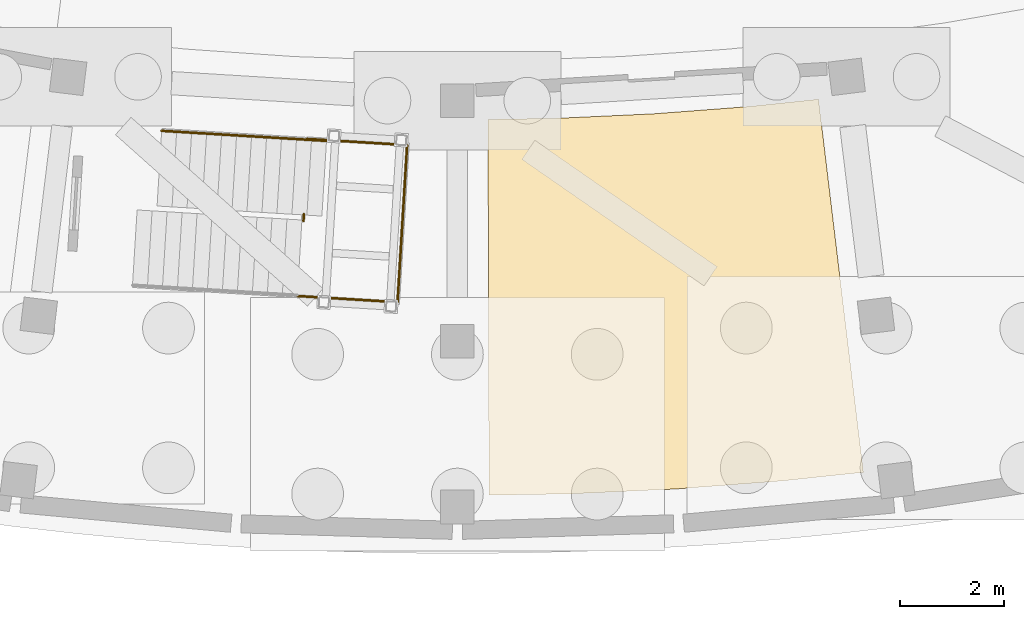
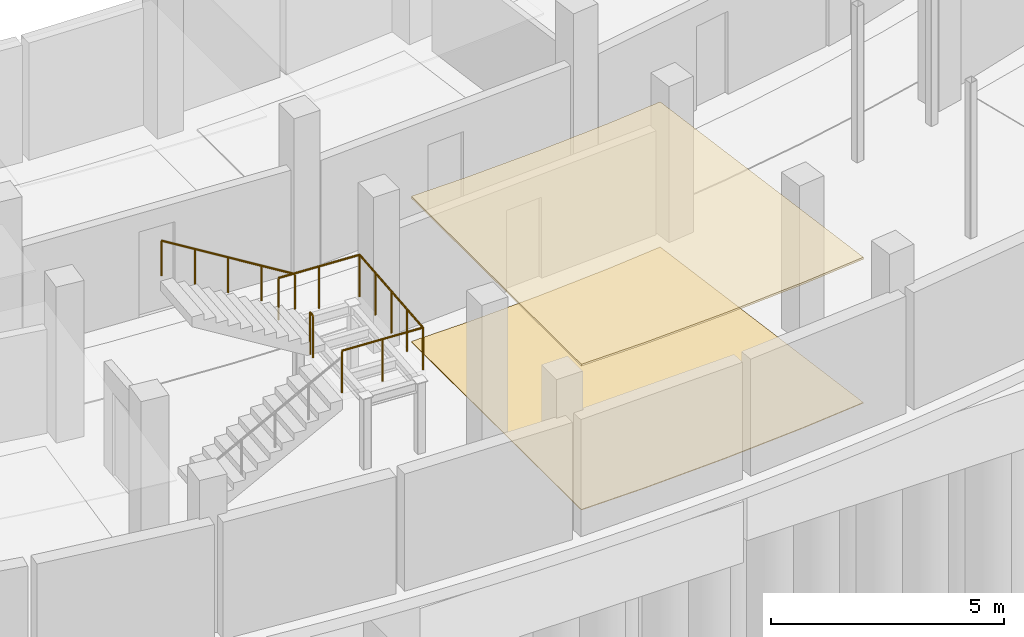
# One storey, part 50 of 58: 3 railings, 2 coverings.
"""IFC4 building model written with IfcOpenShell, lengths in metres."""

import ifcopenshell
import ifcopenshell.guid

model = None  # the IFC model being written
_history = None  # IfcOwnerHistory: only IFC2X3 demands one
_inside = {}  # id of a spatial element -> (the spatial element, [elements in it])
_under = {}  # id of a project, library or spatial element -> (it, [spatial elements below it])
_declared = {}  # id of a project -> (the project, [libraries it declares])
_typed = {}  # id of a type object -> (the type object, [elements of that type])
_made_of = {}  # id of a material, layer set ... -> (it, [elements and type objects made of it])


def new_model(schema):
    """Start an empty IFC model of exactly this schema.

    Asked for "IFC4X3", IfcOpenShell would pick the latest addendum, in which some entities
    have other attributes; the version numbers below select the first issue.
    IFC2X3 requires an IfcOwnerHistory on every rooted entity: one is made here for all.
    """
    global model, _history
    if schema == "IFC4X3":
        model = ifcopenshell.file(schema_version=(4, 3, 0, 0))
    else:
        model = ifcopenshell.file(schema=schema)
    _inside.clear()
    _under.clear()
    _declared.clear()
    _typed.clear()
    _made_of.clear()
    _history = None
    if model.schema == "IFC2X3":
        org = make("IfcOrganization", Name="unknown")
        user = make(
            "IfcPersonAndOrganization",
            ThePerson=make("IfcPerson", FamilyName="unknown"),
            TheOrganization=org,
        )
        app = make(
            "IfcApplication",
            ApplicationDeveloper=org,
            Version="unknown",
            ApplicationFullName="unknown",
            ApplicationIdentifier="unknown",
        )
        _history = make(
            "IfcOwnerHistory",
            OwningUser=user,
            OwningApplication=app,
            ChangeAction="ADDED",
            CreationDate=0,
        )
    return model


def make(cls, **values):
    """One entity of the class cls with the attributes given. An attribute that is None is left unset."""
    return model.create_entity(
        cls, **{name: value for name, value in values.items() if value is not None}
    )


def rooted(cls, **values):
    """An entity with a GlobalId (a new one), such as an element, a storey or a relation."""
    return make(cls, GlobalId=ifcopenshell.guid.new(), OwnerHistory=_history, **values)


def si_unit(unit_type, name, prefix=None):
    """IfcSIUnit, for example si_unit("LENGTHUNIT", "METRE", prefix="MILLI")."""
    return make("IfcSIUnit", UnitType=unit_type, Prefix=prefix, Name=name)


def assignment(units):
    """IfcUnitAssignment: the units of a project."""
    return None if units is None else make("IfcUnitAssignment", Units=units)


def point(xyz):
    """IfcCartesianPoint."""
    return None if xyz is None else make("IfcCartesianPoint", Coordinates=xyz)


def direction(xyz):
    """IfcDirection."""
    return None if xyz is None else make("IfcDirection", DirectionRatios=xyz)


def frame(location, z_axis=None, x_axis=None):
    """IfcAxis2Placement3D, a coordinate frame: its origin and axes. An axis left out is left unset."""
    return make(
        "IfcAxis2Placement3D",
        Location=point(location),
        Axis=direction(z_axis),
        RefDirection=direction(x_axis),
    )


def frame_2d(location, x_axis=None):
    """IfcAxis2Placement2D, a coordinate frame in the plane: its origin and x axis."""
    return make(
        "IfcAxis2Placement2D", Location=point(location), RefDirection=direction(x_axis)
    )


def origin():
    """The frame at (0, 0, 0) with its axes left unset."""
    return frame((0.0, 0.0, 0.0))


def origin_2d():
    """The frame at (0, 0) in the plane with its x axis left unset."""
    return frame_2d((0.0, 0.0))


def place(relative_to, where):
    """IfcLocalPlacement: puts the frame where relative to a parent placement (None: the world)."""
    return make(
        "IfcLocalPlacement", PlacementRelTo=relative_to, RelativePlacement=where
    )


def context(
    kind, dimensions, precision=None, world=None, true_north=None, identifier=None
):
    """IfcGeometricRepresentationContext, for example the 3D "Model" context."""
    return make(
        "IfcGeometricRepresentationContext",
        ContextIdentifier=identifier,
        ContextType=kind,
        CoordinateSpaceDimension=dimensions,
        Precision=precision,
        WorldCoordinateSystem=world,
        TrueNorth=true_north,
    )


def subcontext(parent, identifier, kind, view, scale=None):
    """IfcGeometricRepresentationSubContext, for example "Body" below "Model"."""
    return make(
        "IfcGeometricRepresentationSubContext",
        ContextIdentifier=identifier,
        ContextType=kind,
        ParentContext=parent,
        TargetScale=scale,
        TargetView=view,
    )


def project(units=None, contexts=None):
    """IfcProject with its units and contexts."""
    return rooted(
        "IfcProject",
        Name="project",
        RepresentationContexts=contexts,
        UnitsInContext=assignment(units),
    )


def spatial(cls, under=None, at=None, **own):
    """A site, building, storey or space (cls), placed at a placement, below another one or the project."""
    s = rooted(cls, ObjectPlacement=at, **own)
    if under is not None:
        _under.setdefault(under.id(), (under, []))[1].append(s)
    return s


def polyline(points):
    """IfcPolyline through the points."""
    return make("IfcPolyline", Points=[point(p) for p in points])


def profile(cls, at=None, kind="AREA", **sizes):
    """A parametric profile (cls). Its sizes go by their IFC names, for example OverallWidth=200.0."""
    return make(cls, ProfileType=kind, Position=at, **sizes)


def circle(**sizes):
    """IfcCircleProfileDef."""
    return profile("IfcCircleProfileDef", **sizes)


def outline(outer, holes=None, kind="AREA"):
    """IfcArbitraryClosedProfileDef: a profile drawn as a closed curve; with holes, ...WithVoids."""
    if holes is None:
        return make("IfcArbitraryClosedProfileDef", ProfileType=kind, OuterCurve=outer)
    return make(
        "IfcArbitraryProfileDefWithVoids",
        ProfileType=kind,
        OuterCurve=outer,
        InnerCurves=holes,
    )


def extrude(swept, where, along, depth):
    """IfcExtrudedAreaSolid: the profile swept, set in the frame where, extruded along a direction by depth."""
    return make(
        "IfcExtrudedAreaSolid",
        SweptArea=swept,
        Position=where,
        ExtrudedDirection=direction(along),
        Depth=depth,
    )


def shape(context_of_items, identifier, shape_type, items):
    """IfcShapeRepresentation: the items that make up one representation, for example the "Body"."""
    return make(
        "IfcShapeRepresentation",
        ContextOfItems=context_of_items,
        RepresentationIdentifier=identifier,
        RepresentationType=shape_type,
        Items=items,
    )


def material(Name=None, Category=None):
    """IfcMaterial."""
    return make("IfcMaterial", Name=Name, Category=Category)


def layer(
    of_material, thickness, ventilated=None, Name=None, Category=None, Priority=None
):
    """IfcMaterialLayer: one layer of a wall or slab, of a material (None: an air gap)."""
    return make(
        "IfcMaterialLayer",
        Material=of_material,
        LayerThickness=thickness,
        IsVentilated=ventilated,
        Name=Name,
        Category=Category,
        Priority=Priority,
    )


def layer_set(layers, Name=None):
    """IfcMaterialLayerSet."""
    return make("IfcMaterialLayerSet", MaterialLayers=layers, LayerSetName=Name)


def made_of(thing, what):
    """Note that an element or type object is made of a material, layer set ...; save() writes the relation."""
    if what is not None:
        _made_of.setdefault(what.id(), (what, []))[1].append(thing)
    return thing


def type_object(cls, material=None, **own):
    """A type object (cls), such as IfcWallType, which elements share."""
    return made_of(rooted(cls, **own), material)


def element(
    cls,
    number,
    at=None,
    inside=None,
    cuts=None,
    type_object=None,
    material=None,
    context=None,
    identifier="Body",
    shape_type=None,
    held_by="IfcProductDefinitionShape",
    body=None,
    shapes=None,
    **own,
):
    """One element of the class cls, such as IfcWall. Its Tag is "e" and its number.

    at: its placement. inside: the storey or other place that contains it. cuts: it is an
    opening in that element (IfcRelVoidsElement). A single representation is given by context,
    identifier, shape_type and body (its items); several are given by shapes. held_by: the class
    of the entity that holds the representations. save() writes the other relations.
    """
    e = rooted(cls, Tag="e%d" % number, ObjectPlacement=at, **own)
    if body is not None:
        shapes = [shape(context, identifier, shape_type, body)]
    if shapes is not None:
        e.Representation = make(held_by, Representations=shapes)
    if inside is not None:
        _inside.setdefault(inside.id(), (inside, []))[1].append(e)
    if cuts is not None:
        rooted(
            "IfcRelVoidsElement", RelatingBuildingElement=cuts, RelatedOpeningElement=e
        )
    if type_object is not None:
        _typed.setdefault(type_object.id(), (type_object, []))[1].append(e)
    return made_of(e, material)


def aggregate(whole, parts):
    """IfcRelAggregates: a whole, such as a stair, and the parts it consists of."""
    return rooted("IfcRelAggregates", RelatingObject=whole, RelatedObjects=parts)


def save(model, path):
    """Write the relations noted so far, then the file.

    IfcRelAggregates (storeys below a building ...), IfcRelContainedInSpatialStructure (elements
    in a storey), IfcRelDefinesByType, IfcRelAssociatesMaterial and IfcRelDeclares: one each for
    every whole, place, type object, material and project.
    """
    for whole, parts in _under.values():
        aggregate(whole, parts)
    for where, things in _inside.values():
        rooted(
            "IfcRelContainedInSpatialStructure",
            RelatedElements=things,
            RelatingStructure=where,
        )
    for kind, things in _typed.values():
        rooted("IfcRelDefinesByType", RelatedObjects=things, RelatingType=kind)
    for what, things in _made_of.values():
        rooted("IfcRelAssociatesMaterial", RelatedObjects=things, RelatingMaterial=what)
    for by, libraries in _declared.values():
        rooted("IfcRelDeclares", RelatingContext=by, RelatedDefinitions=libraries)
    model.write(path)


model = new_model("IFC4")

# Units and contexts
model_context = context("Model", 3, precision=1e-05, world=origin(), true_north=direction((0.0, 1.0)))
body_context = subcontext(model_context, "Body", "Model", "MODEL_VIEW")
ifc_project = project(units=[si_unit("LENGTHUNIT", "METRE"), si_unit("AREAUNIT", "SQUARE_METRE"), si_unit("VOLUMEUNIT", "CUBIC_METRE"), si_unit("PLANEANGLEUNIT", "RADIAN"), si_unit("MASSUNIT", "GRAM", prefix="KILO")], contexts=[model_context])

# Site, building, storey
site_placement = place(None, origin())
site = spatial("IfcSite", under=ifc_project, at=site_placement, CompositionType="ELEMENT")
building_placement = place(site_placement, origin())
building = spatial("IfcBuilding", under=site, at=building_placement, Name="Caldaven Crescent School", CompositionType="ELEMENT")
storey_placement = place(building_placement, frame((0.0, 0.0, -4.080078125)))
storey = spatial("IfcBuildingStorey", under=building, at=storey_placement, Name="B1", CompositionType="ELEMENT", Elevation=-4.080078125)

# Coverings
ifc_material_1 = material(Name="Perforated Pino Radiata acoustic timber baffle ceiling", Category="wood")
ifc_layer_1 = layer(ifc_material_1, 0.053955078125)
ifc_layer_set_1 = layer_set([ifc_layer_1], Name="Perforated Pino Radiata acoustic timber baffle ceiling")
covering_type_1 = type_object("IfcCoveringType", Name="COV-CLG4", PredefinedType="CEILING", material=ifc_layer_set_1)
covering_1_placement = place(storey_placement, frame((0.0, 0.0, 3.76611328125)))
element("IfcCovering", 1, at=covering_1_placement, inside=storey, type_object=covering_type_1, Name="CLG-B1-075", PredefinedType="CEILING", context=body_context, shape_type="SweptSolid", body=[
    extrude(outline(polyline([(89.960205078125, 33.9609375), (89.973388671875, 33.96142578125), (91.78271484375, 34.04541015625), (91.7958984375, 34.046142578125), (93.60205078125, 34.183349609375), (93.614990234375, 34.1845703125), (94.9755859375, 34.328125), (95.84375, 27.120361328125), (94.264404296875, 26.95361328125), (92.232421875, 26.79931640625), (90.19677734375, 26.704833984375), (88.609130859375, 26.677978515625), (88.59228515625, 33.937744140625), (89.960205078125, 33.9609375)])), origin(), (0.0, 0.0, 1.0), 0.053955078125),
])
ifc_material_2 = material(Name="Polished terrazzo and acoustic linoleum flooring")
ifc_layer_2 = layer(ifc_material_2, 0.02001953125)
ifc_layer_set_2 = layer_set([ifc_layer_2], Name="Polished terrazzo and acoustic linoleum flooring")
covering_type_2 = type_object("IfcCoveringType", Name="COV-FLR1", PredefinedType="FLOORING", material=ifc_layer_set_2)
covering_2_placement = place(storey_placement, origin())
element("IfcCovering", 2, at=covering_2_placement, inside=storey, type_object=covering_type_2, Name="FLR-B1-075", PredefinedType="FLOORING", context=body_context, shape_type="SweptSolid", body=[
    extrude(outline(polyline([(88.59228515625, 33.937744140625), (89.960205078125, 33.9609375), (89.973388671875, 33.96142578125), (91.78271484375, 34.04541015625), (91.7958984375, 34.046142578125), (93.60205078125, 34.183349609375), (93.614990234375, 34.1845703125), (94.9755859375, 34.328125), (95.84375, 27.120361328125), (94.264404296875, 26.95361328125), (92.232421875, 26.79931640625), (90.19677734375, 26.704833984375), (88.609130859375, 26.677978515625), (88.59228515625, 33.937744140625)])), origin(), (0.0, 0.0, 1.0), 0.02001953125),
])

# Railings
ifc_material_3 = material(Name="Brushed stainless-steel continuous tubular handrail", Category="steel")
railing_type_1 = type_object("IfcRailingType", Name="RAL-HR4", PredefinedType="HANDRAIL", material=ifc_material_3)
railing_1_placement = place(storey_placement, frame((85.47119140625, 33.52294921875, 2.213134765625)))
element("IfcRailing", 3, at=railing_1_placement, inside=storey, type_object=railing_type_1, Name="HR-STB3-B1-F2", PredefinedType="HANDRAIL", context=body_context, shape_type="SweptSolid", body=[
    extrude(circle(Radius=0.02392578125, at=origin_2d()), frame((0.0, 0.0, 0.916015625), z_axis=(-0.861108074075, 0.052622537574, 0.505691361704), x_axis=(-0.060996470743, -0.998137981722, 0.0)), (0.0, 0.0, 1.0), 3.69775390625),
    extrude(circle(Radius=0.02099609375, at=origin_2d()), origin(), (0.0, 0.0, 1.0), 0.891845703125),
    extrude(circle(Radius=0.02099609375, at=origin_2d()), frame((-0.7958984375, 0.048583984375, 0.467529296875)), (0.0, 0.0, 1.0), 0.891845703125),
    extrude(circle(Radius=0.02099609375, at=origin_2d()), frame((-1.592041015625, 0.09716796875, 0.93505859375)), (0.0, 0.0, 1.0), 0.891845703125),
    extrude(circle(Radius=0.02099609375, at=origin_2d()), frame((-2.38818359375, 0.14599609375, 1.40234375)), (0.0, 0.0, 1.0), 0.891845703125),
    extrude(circle(Radius=0.02099609375, at=origin_2d()), frame((-3.18408203125, 0.194580078125, 1.869873046875)), (0.0, 0.0, 1.0), 0.891845703125),
])
ifc_material_4 = material(Name="Powder-coated tubular steel balustrade ASTM A572 Grade 50", Category="steel")
railing_type_2 = type_object("IfcRailingType", Name="RAL-INT2", PredefinedType="BALUSTRADE", material=ifc_material_4)
railing_2_placement = place(storey_placement, frame((84.9072265625, 30.526611328125, 2.0400390625)))
element("IfcRailing", 4, at=railing_2_placement, inside=storey, type_object=railing_type_2, Name="GD-LND-STB3-B1", PredefinedType="BALUSTRADE", context=body_context, shape_type="SweptSolid", body=[
    extrude(circle(Radius=0.02392578125, at=origin_2d()), frame((0.0, 0.0, 1.09619140625), z_axis=(0.998135417551, -0.061038416027, 0.0), x_axis=(0.061038416027, 0.998135417551, 0.0)), (0.0, 0.0, 1.0), 1.93994140625),
    extrude(circle(Radius=0.02392578125, at=origin_2d()), frame((1.936279296875, -0.118408203125, 1.09619140625), z_axis=(0.061033321594, 0.998135729075, 0.0), x_axis=(-0.998135729075, 0.061033321594, 0.0)), (0.0, 0.0, 1.0), 3.0400390625),
    extrude(circle(Radius=0.02392578125, at=origin_2d()), frame((2.121826171875, 2.916015625, 1.09619140625), z_axis=(-0.998135417551, 0.061038416027, 0.0), x_axis=(-0.061038416027, -0.998135417551, 0.0)), (0.0, 0.0, 1.0), 1.93994140625),
    extrude(circle(Radius=0.02099609375, at=origin_2d()), origin(), (0.0, 0.0, 1.0), 1.072021484375),
    extrude(circle(Radius=0.02099609375, at=origin_2d()), frame((0.96826171875, -0.05908203125, 0.0)), (0.0, 0.0, 1.0), 1.072021484375),
    extrude(circle(Radius=0.02099609375, at=origin_2d()), frame((1.936279296875, -0.118408203125, 0.0)), (0.0, 0.0, 1.0), 1.072021484375),
    extrude(circle(Radius=0.02099609375, at=origin_2d()), frame((1.982666015625, 0.64013671875, 0.0)), (0.0, 0.0, 1.0), 1.072021484375),
    extrude(circle(Radius=0.02099609375, at=origin_2d()), frame((2.029052734375, 1.39892578125, 0.0)), (0.0, 0.0, 1.0), 1.072021484375),
    extrude(circle(Radius=0.02099609375, at=origin_2d()), frame((2.075439453125, 2.157470703125, 0.0)), (0.0, 0.0, 1.0), 1.072021484375),
    extrude(circle(Radius=0.02099609375, at=origin_2d()), frame((2.121826171875, 2.916015625, 0.0)), (0.0, 0.0, 1.0), 1.072021484375),
    extrude(circle(Radius=0.02099609375, at=origin_2d()), frame((1.15380859375, 2.97509765625, 0.0)), (0.0, 0.0, 1.0), 1.072021484375),
    extrude(circle(Radius=0.02099609375, at=origin_2d()), frame((0.185546875, 3.034423828125, 0.0)), (0.0, 0.0, 1.0), 1.072021484375),
])
railing_3_placement = place(storey_placement, frame((85.025634765625, 31.97216796875, 2.0400390625)))
element("IfcRailing", 5, at=railing_3_placement, inside=storey, type_object=railing_type_2, Name="GD-SLT-STB3-B1", PredefinedType="BALUSTRADE", context=body_context, shape_type="SweptSolid", body=[
    extrude(circle(Radius=0.02392578125, at=origin_2d()), frame((0.0, 0.0, 1.09619140625), z_axis=(0.061074584229, 0.998133205119, 0.0), x_axis=(-0.998133205119, 0.061074584229, 0.0)), (0.0, 0.0, 1.0), 0.139892578125),
    extrude(circle(Radius=0.02099609375, at=origin_2d()), origin(), (0.0, 0.0, 1.0), 1.072021484375),
    extrude(circle(Radius=0.02099609375, at=origin_2d()), frame((0.008544921875, 0.1396484375, 0.0)), (0.0, 0.0, 1.0), 1.072021484375),
])

save(model, "model.ifc")
